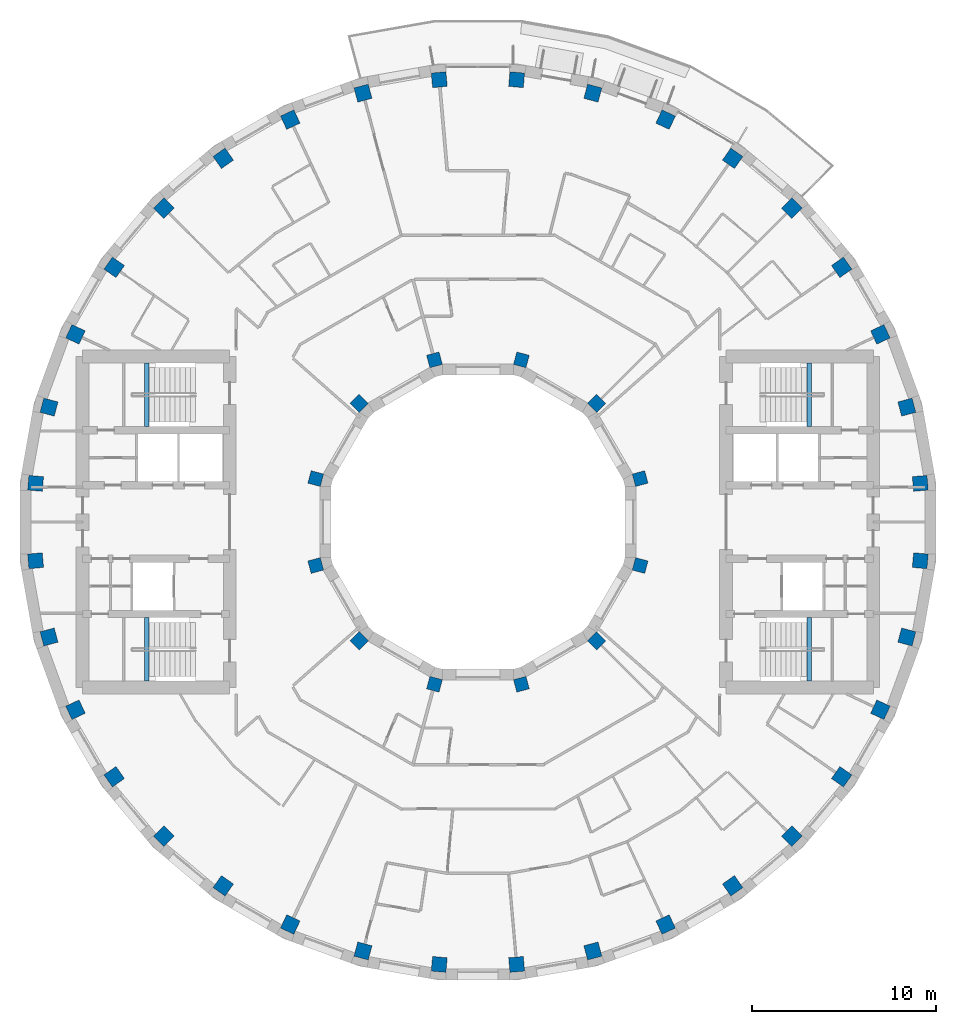
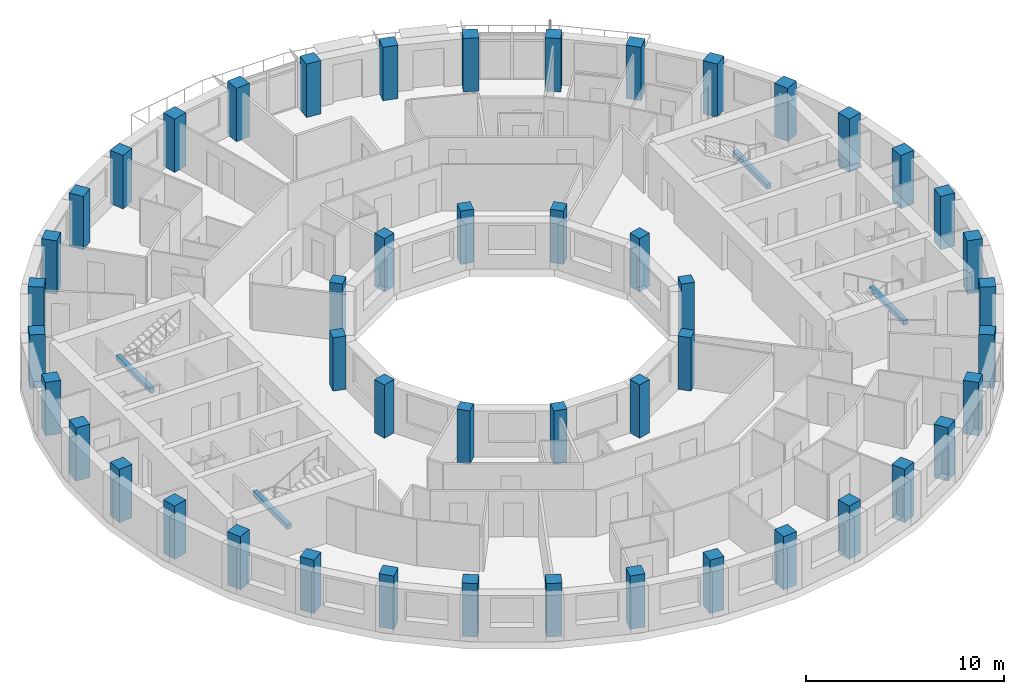
# One storey, part 1 of 13: 48 columns, 4 beams.
"""IFC4 building model written with IfcOpenShell, lengths in metres."""

from ifc_helpers import new_model, si_unit, direction, frame, origin, origin_2d, place, context, subcontext, project, spatial, rectangle, extrude, material, material_profile, profile_set, type_object, element, save


model = new_model("IFC4")

# Units and contexts
model_context = context("Model", 3, precision=1e-05, world=origin(), true_north=direction((0.0, 1.0)))
body_context = subcontext(model_context, "Body", "Model", "MODEL_VIEW")
ifc_project = project(units=[si_unit("LENGTHUNIT", "METRE"), si_unit("AREAUNIT", "SQUARE_METRE"), si_unit("VOLUMEUNIT", "CUBIC_METRE"), si_unit("PLANEANGLEUNIT", "RADIAN"), si_unit("MASSUNIT", "GRAM", prefix="KILO")], contexts=[model_context])

# Site, building, storey
site_placement = place(None, origin())
site = spatial("IfcSite", under=ifc_project, at=site_placement, CompositionType="ELEMENT")
building_placement = place(site_placement, origin())
building = spatial("IfcBuilding", under=site, at=building_placement, Name="Saqina Gate Tower", CompositionType="ELEMENT")
storey_placement = place(building_placement, frame((0.0, 0.0, 200.39990234375)))
storey = spatial("IfcBuildingStorey", under=building, at=storey_placement, Name="L57", CompositionType="ELEMENT", Elevation=200.39990234375)

# Columns
ifc_material_1 = material(Name="Concrete C60/75", Category="concrete")
ifc_material_profile_1 = material_profile(ifc_material_1, rectangle(XDim=0.699951171875, YDim=0.699951171875, at=origin_2d()), Name="RC 700x700")
ifc_profile_set_1 = profile_set([ifc_material_profile_1], Name="Concrete C60/75")
column_type_1 = type_object("IfcColumnType", Name="STR-COL-IN-C", PredefinedType="COLUMN", material=ifc_profile_set_1)
for number, where, z_axis, x_axis, name in (
    (1, (8.821044921875, 2.363525390625, 0.0), (0.0, 0.0, 1.0), (0.965925826289, 0.258819045103, 0.0), "L57-ICL01"),
    (2, (6.45751953125, 6.45751953125, 0.0), (0.0, 0.0, 1.0), (0.707106781187, 0.707106781187, 0.0), "L57-ICL02"),
    (3, (2.363525390625, 8.821044921875, 0.0), (0.0, 0.0, 1.0), (0.258819045103, 0.965925826289, 0.0), "L57-ICL03"),
    (4, (-2.363525390625, 8.821044921875, 0.0), (0.0, 0.0, 1.0), (-0.258819045103, 0.965925826289, 0.0), "L57-ICL04"),
    (5, (-6.45751953125, 6.45751953125, 0.0), (0.0, 0.0, 1.0), (-0.707106781187, 0.707106781187, 0.0), "L57-ICL05"),
    (6, (-8.821044921875, 2.363525390625, 0.0), (0.0, 0.0, 1.0), (-0.965925826289, 0.258819045103, 0.0), "L57-ICL06"),
    (7, (-8.821044921875, -2.363525390625, 0.0), (0.0, 0.0, 1.0), (-0.965925826289, -0.258819045103, 0.0), "L57-ICL07"),
    (8, (-6.45751953125, -6.45751953125, 0.0), (0.0, 0.0, 1.0), (-0.707106781187, -0.707106781187, 0.0), "L57-ICL08"),
    (9, (-2.363525390625, -8.821044921875, 0.0), (0.0, 0.0, 1.0), (-0.258819045103, -0.965925826289, 0.0), "L57-ICL09"),
    (10, (2.363525390625, -8.821044921875, 0.0), (0.0, 0.0, 1.0), (0.258819045103, -0.965925826289, 0.0), "L57-ICL10"),
    (11, (6.45751953125, -6.45751953125, 0.0), (0.0, 0.0, 1.0), (0.707106781187, -0.707106781187, 0.0), "L57-ICL11"),
    (12, (8.821044921875, -2.363525390625, 0.0), (0.0, 0.0, 1.0), (0.965925826289, -0.258819045103, 0.0), "L57-ICL12"),
):
    element("IfcColumn", number, at=place(storey_placement, frame(where, z_axis=z_axis, x_axis=x_axis)), inside=storey, type_object=column_type_1, Name=name, PredefinedType="COLUMN", context=body_context, shape_type="SweptSolid", body=[
        extrude(rectangle(XDim=0.699951171875, YDim=0.699951171875, at=origin_2d()), origin(), (0.0, 0.0, 1.0), 3.300048828125),
    ])
ifc_material_2 = material(Name="Concrete C60/75", Category="concrete")
ifc_material_profile_2 = material_profile(ifc_material_2, rectangle(XDim=0.800048828125, YDim=0.800048828125, at=origin_2d()), Name="RC 800x800")
ifc_profile_set_2 = profile_set([ifc_material_profile_2], Name="Concrete C60/75")
column_type_2 = type_object("IfcColumnType", Name="STR-COL-OUT-C", PredefinedType="COLUMN", material=ifc_profile_set_2)
for number, where, z_axis, x_axis, name in (
    (13, (24.05810546875, 2.104736328125, 0.0), (0.0, 0.0, 1.0), (0.996194698092, 0.087155742748, 0.0), "L57-COL01"),
    (14, (23.3271484375, 6.25048828125, 0.0), (0.0, 0.0, 1.0), (0.965925826289, 0.258819045103, 0.0), "L57-COL02"),
    (15, (21.887451171875, 10.206298828125, 0.0), (0.0, 0.0, 1.0), (0.906307787037, 0.422618261741, 0.0), "L57-COL03"),
    (16, (19.782470703125, 13.851806640625, 0.0), (0.0, 0.0, 1.0), (0.819152044289, 0.573576436351, 0.0), "L57-COL04"),
    (17, (17.07666015625, 17.07666015625, 0.0), (0.0, 0.0, 1.0), (0.707106781187, 0.707106781187, 0.0), "L57-COL05"),
    (18, (13.851806640625, 19.782470703125, 0.0), (0.0, 0.0, 1.0), (0.573576436351, 0.819152044289, 0.0), "L57-COL06"),
    (19, (10.206298828125, 21.887451171875, 0.0), (0.0, 0.0, 1.0), (0.422618261741, 0.906307787037, 0.0), "L57-COL07"),
    (20, (6.25048828125, 23.3271484375, 0.0), (0.0, 0.0, 1.0), (0.258819045103, 0.965925826289, 0.0), "L57-COL08"),
    (21, (2.104736328125, 24.05810546875, 0.0), (0.0, 0.0, 1.0), (0.087155742748, 0.996194698092, 0.0), "L57-COL09"),
    (22, (-2.104736328125, 24.05810546875, 0.0), (0.0, 0.0, 1.0), (-0.087155742748, 0.996194698092, 0.0), "L57-COL10"),
    (23, (-6.25048828125, 23.3271484375, 0.0), (0.0, 0.0, 1.0), (-0.258819045103, 0.965925826289, 0.0), "L57-COL11"),
    (24, (-10.206298828125, 21.887451171875, 0.0), (0.0, 0.0, 1.0), (-0.422618261741, 0.906307787037, 0.0), "L57-COL12"),
    (25, (-13.851806640625, 19.782470703125, 0.0), (0.0, 0.0, 1.0), (-0.573576436351, 0.819152044289, 0.0), "L57-COL13"),
    (26, (-17.07666015625, 17.07666015625, 0.0), (0.0, 0.0, 1.0), (-0.707106781187, 0.707106781187, 0.0), "L57-COL14"),
    (27, (-19.782470703125, 13.851806640625, 0.0), (0.0, 0.0, 1.0), (-0.819152044289, 0.573576436351, 0.0), "L57-COL15"),
    (28, (-21.887451171875, 10.206298828125, 0.0), (0.0, 0.0, 1.0), (-0.906307787037, 0.422618261741, 0.0), "L57-COL16"),
    (29, (-23.3271484375, 6.25048828125, 0.0), (0.0, 0.0, 1.0), (-0.965925826289, 0.258819045103, 0.0), "L57-COL17"),
    (30, (-24.05810546875, 2.104736328125, 0.0), (0.0, 0.0, 1.0), (-0.996194698092, 0.087155742748, 0.0), "L57-COL18"),
    (31, (-24.05810546875, -2.104736328125, 0.0), (0.0, 0.0, 1.0), (-0.996194698092, -0.087155742748, 0.0), "L57-COL19"),
    (32, (-23.3271484375, -6.25048828125, 0.0), (0.0, 0.0, 1.0), (-0.965925826289, -0.258819045103, 0.0), "L57-COL20"),
    (33, (-21.887451171875, -10.206298828125, 0.0), (0.0, 0.0, 1.0), (-0.906307787037, -0.422618261741, 0.0), "L57-COL21"),
    (34, (-19.782470703125, -13.851806640625, 0.0), (0.0, 0.0, 1.0), (-0.819152044289, -0.573576436351, 0.0), "L57-COL22"),
    (35, (-17.07666015625, -17.07666015625, 0.0), (0.0, 0.0, 1.0), (-0.707106781187, -0.707106781187, 0.0), "L57-COL23"),
    (36, (-13.851806640625, -19.782470703125, 0.0), (0.0, 0.0, 1.0), (-0.573576436351, -0.819152044289, 0.0), "L57-COL24"),
    (37, (-10.206298828125, -21.887451171875, 0.0), (0.0, 0.0, 1.0), (-0.422618261741, -0.906307787037, 0.0), "L57-COL25"),
    (38, (-6.25048828125, -23.3271484375, 0.0), (0.0, 0.0, 1.0), (-0.258819045103, -0.965925826289, 0.0), "L57-COL26"),
    (39, (-2.104736328125, -24.05810546875, 0.0), (0.0, 0.0, 1.0), (-0.087155742748, -0.996194698092, 0.0), "L57-COL27"),
    (40, (2.104736328125, -24.05810546875, 0.0), (0.0, 0.0, 1.0), (0.087155742748, -0.996194698092, 0.0), "L57-COL28"),
    (41, (6.25048828125, -23.3271484375, 0.0), (0.0, 0.0, 1.0), (0.258819045103, -0.965925826289, 0.0), "L57-COL29"),
    (42, (10.206298828125, -21.887451171875, 0.0), (0.0, 0.0, 1.0), (0.422618261741, -0.906307787037, 0.0), "L57-COL30"),
    (43, (13.851806640625, -19.782470703125, 0.0), (0.0, 0.0, 1.0), (0.573576436351, -0.819152044289, 0.0), "L57-COL31"),
    (44, (17.07666015625, -17.07666015625, 0.0), (0.0, 0.0, 1.0), (0.707106781187, -0.707106781187, 0.0), "L57-COL32"),
    (45, (19.782470703125, -13.851806640625, 0.0), (0.0, 0.0, 1.0), (0.819152044289, -0.573576436351, 0.0), "L57-COL33"),
    (46, (21.887451171875, -10.206298828125, 0.0), (0.0, 0.0, 1.0), (0.906307787037, -0.422618261741, 0.0), "L57-COL34"),
    (47, (23.3271484375, -6.25048828125, 0.0), (0.0, 0.0, 1.0), (0.965925826289, -0.258819045103, 0.0), "L57-COL35"),
    (48, (24.05810546875, -2.104736328125, 0.0), (0.0, 0.0, 1.0), (0.996194698092, -0.087155742748, 0.0), "L57-COL36"),
):
    element("IfcColumn", number, at=place(storey_placement, frame(where, z_axis=z_axis, x_axis=x_axis)), inside=storey, type_object=column_type_2, Name=name, PredefinedType="COLUMN", context=body_context, shape_type="SweptSolid", body=[
        extrude(rectangle(XDim=0.800048828125, YDim=0.800048828125, at=origin_2d()), origin(), (0.0, 0.0, 1.0), 3.300048828125),
    ])

# Beams
ifc_material_3 = material(Name="Concrete C40/50", Category="concrete")
ifc_material_profile_3 = material_profile(ifc_material_3, rectangle(XDim=0.25, YDim=0.300048828125, at=origin_2d()), Name="STAIR LANDING BEAM")
ifc_profile_set_3 = profile_set([ifc_material_profile_3], Name="Concrete C40/50")
beam_type = type_object("IfcBeamType", Name="STAIR LANDING BEAM", PredefinedType="BEAM", material=ifc_profile_set_3)
for number, where, z_axis, x_axis, name in (
    (49, (18.02001953125, 5.199951171875, 1.25), (0.0, 1.0, 0.0), (-1.0, 0.0, 0.0), "EXIT STAIR 1 LANDING BEAM"),
    (50, (18.02001953125, -8.64990234375, 1.25), (0.0, 1.0, 0.0), (-1.0, 0.0, 0.0), "EXIT STAIR 2 LANDING BEAM"),
    (51, (-18.02001953125, 5.199951171875, 1.25), (0.0, 1.0, 0.0), (-1.0, 0.0, 0.0), "EXIT STAIR 3 LANDING BEAM"),
    (52, (-18.02001953125, -8.64990234375, 1.25), (0.0, 1.0, 0.0), (-1.0, 0.0, 0.0), "EXIT STAIR 4 LANDING BEAM"),
):
    element("IfcBeam", number, at=place(storey_placement, frame(where, z_axis=z_axis, x_axis=x_axis)), inside=storey, type_object=beam_type, Name=name, PredefinedType="BEAM", context=body_context, shape_type="SweptSolid", body=[
        extrude(rectangle(XDim=0.25, YDim=0.300048828125, at=origin_2d()), origin(), (0.0, 0.0, 1.0), 3.449951171875),
    ])

save(model, "model.ifc")
